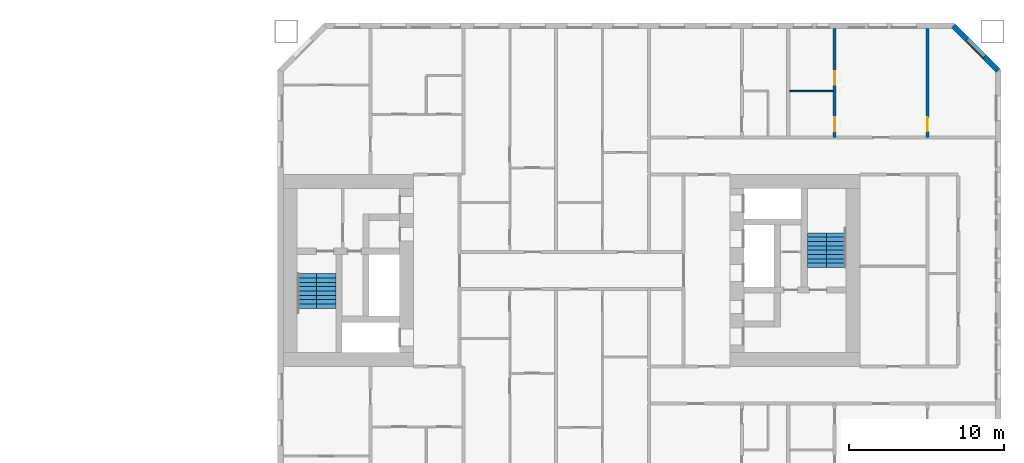
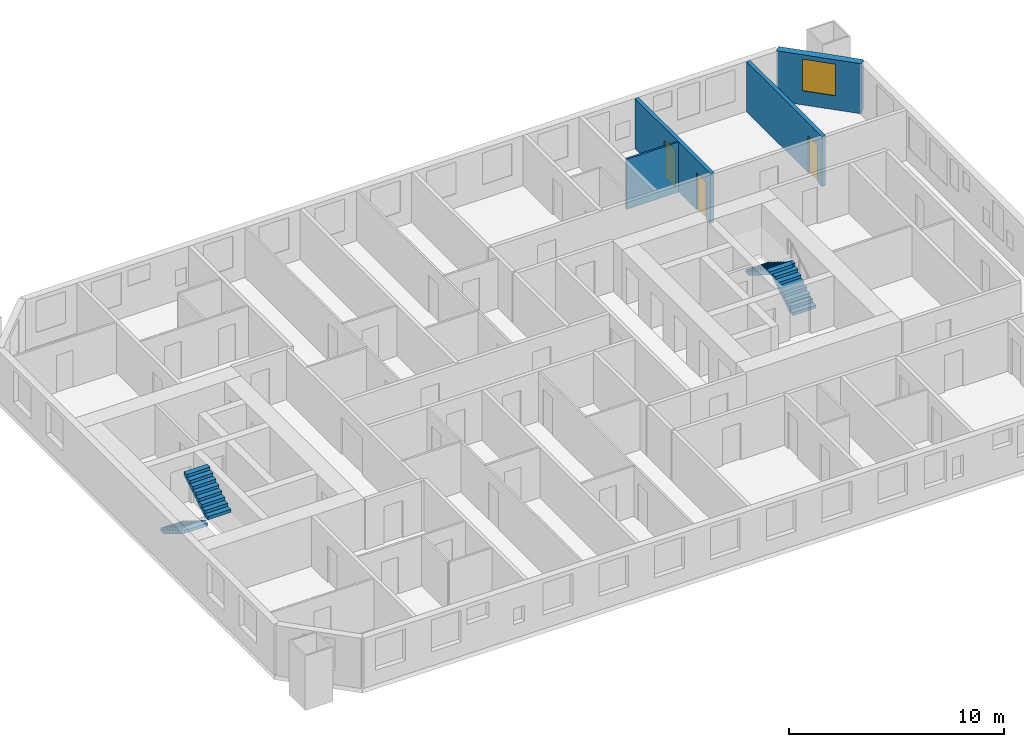
# One storey, part 15 of 17: 4 stair flights, 4 walls, 3 doors, 1 window, 4 openings, 2 elements without a shape of their own.
"""IFC4 building model written with IfcOpenShell, lengths in metres."""

from ifc_helpers import new_model, si_unit, direction, frame, frame_2d, origin, place, context, subcontext, project, spatial, polyline, rectangle, outline, extrude, material, layer, layer_set, type_object, element, fill, aggregate, save


model = new_model("IFC4")

# Units and contexts
model_context = context("Model", 3, precision=1e-05, world=origin(), true_north=direction((0.0, 1.0)))
body_context = subcontext(model_context, "Body", "Model", "MODEL_VIEW")
ifc_project = project(units=[si_unit("LENGTHUNIT", "METRE"), si_unit("AREAUNIT", "SQUARE_METRE"), si_unit("VOLUMEUNIT", "CUBIC_METRE"), si_unit("PLANEANGLEUNIT", "RADIAN"), si_unit("MASSUNIT", "GRAM", prefix="KILO")], contexts=[model_context])

# Site, building, storey
site_placement = place(None, origin())
site = spatial("IfcSite", under=ifc_project, at=site_placement, CompositionType="ELEMENT")
building_placement = place(site_placement, origin())
building = spatial("IfcBuilding", under=site, at=building_placement, Name="Tuart Gate Housing", CompositionType="ELEMENT")
storey_placement = place(building_placement, frame((0.0, 0.0, 25.699951171875)))
storey = spatial("IfcBuildingStorey", under=building, at=storey_placement, Name="L06", CompositionType="ELEMENT", Elevation=25.699951171875)

# Wall, opening, window
ifc_material_1 = material(Name="Brick", Category="masonry")
ifc_layer_1 = layer(ifc_material_1, 0.360107421875)
ifc_layer_set_1 = layer_set([ifc_layer_1], Name="Brick pier and spandrel wall 360")
wall_type_1 = type_object("IfcWallType", Name="Brick pier and spandrel wall 360", PredefinedType="STANDARD", material=ifc_layer_set_1)
wall_1_placement = place(storey_placement, frame((177.570068359375, 82.92529296875, 0.0), z_axis=(0.0, 0.0, 1.0), x_axis=(-0.707106781187, 0.707106781187, 0.0)))
wall_1 = element("IfcWall", 1, at=wall_1_placement, inside=storey, type_object=wall_type_1, Name="External wall B-NE L06", PredefinedType="STANDARD", context=body_context, shape_type="SweptSolid", body=[
    extrude(rectangle(XDim=4.09375, YDim=0.360107421875, at=frame_2d((2.046875, 0.0))), origin(), (0.0, 0.0, 1.0), 2.85009765625),
])
opening_1_placement = place(wall_1_placement, frame((1.2470703125, 0.0, 0.800048828125)))
opening_1 = element("IfcOpeningElement", 2, at=opening_1_placement, cuts=wall_1, Name="Opening W1", PredefinedType="OPENING", context=body_context, shape_type="SweptSolid", body=[
    extrude(rectangle(XDim=1.60009765625, YDim=1.800048828125, at=frame_2d((0.800048828125, 0.89990234375))), frame((0.0, 0.18994140625, 0.0), z_axis=(0.0, -1.0, 0.0), x_axis=(1.0, 0.0, 0.0)), (0.0, 0.0, 1.0), 0.380126953125),
])
ifc_material_2 = material(Name="Aluminium frame with clear glass", Category="aluminium")
window_type = type_object("IfcWindowType", Name="Punched window 1600 x 1800", PartitioningType="SINGLE_PANEL", PredefinedType="WINDOW", material=ifc_material_2)
window_placement = place(opening_1_placement, origin())
window = element("IfcWindow", 3, at=window_placement, inside=storey, type_object=window_type, Name="Window W1", OverallHeight=1.800048828125, OverallWidth=1.60009765625, PartitioningType="SINGLE_PANEL", PredefinedType="WINDOW", context=body_context, shape_type="SweptSolid", body=[
    extrude(rectangle(XDim=1.60009765625, YDim=1.800048828125, at=frame_2d((0.800048828125, 0.89990234375))), frame((0.0, 0.150146484375, 0.0), z_axis=(0.0, -1.0, 0.0), x_axis=(1.0, 0.0, 0.0)), (0.0, 0.0, 1.0), 0.06005859375),
])
fill(opening_1, window)

# Wall
ifc_material_3 = material(Name="Gypsum board on steel studs", Category="steel")
ifc_layer_2 = layer(ifc_material_3, 0.10009765625)
ifc_layer_set_2 = layer_set([ifc_layer_2], Name="Partition 100")
wall_type_2 = type_object("IfcWallType", Name="Partition 100", PredefinedType="PARTITIONING", material=ifc_layer_set_2)
wall_2_placement = place(storey_placement, frame((164.10009765625, 81.60009765625, 0.0), z_axis=(0.0, 0.0, 1.0), x_axis=(1.0, 0.0, 0.0)))
element("IfcWall", 4, at=wall_2_placement, inside=storey, type_object=wall_type_2, Name="Partition 100", PredefinedType="PARTITIONING", context=body_context, shape_type="SweptSolid", body=[
    extrude(rectangle(XDim=2.7998046875, YDim=0.10009765625, at=frame_2d((1.39990234375, 0.0))), origin(), (0.0, 0.0, 1.0), 2.85009765625),
])

# Wall, openings, doors
ifc_material_4 = material(Name="Concrete C40", Category="concrete")
ifc_layer_3 = layer(ifc_material_4, 0.199951171875)
ifc_layer_set_3 = layer_set([ifc_layer_3], Name="Party wall concrete C40 200")
wall_type_3 = type_object("IfcWallType", Name="Party wall concrete C40 200", PredefinedType="SOLIDWALL", material=ifc_layer_set_3)
wall_3_placement = place(storey_placement, frame((167.0, 78.60009765625, 0.0), z_axis=(0.0, 0.0, 1.0), x_axis=(0.0, 1.0, 0.0)))
wall_3 = element("IfcWall", 5, at=wall_3_placement, inside=storey, type_object=wall_type_3, Name="Party wall concrete C40 200", PredefinedType="SOLIDWALL", context=body_context, shape_type="SweptSolid", body=[
    extrude(rectangle(XDim=7.039794921875, YDim=0.199951171875, at=frame_2d((3.52001953125, 0.0))), origin(), (0.0, 0.0, 1.0), 2.85009765625),
])
opening_2_placement = place(wall_3_placement, frame((3.39990234375, 0.0, 0.0)))
opening_2 = element("IfcOpeningElement", 6, at=opening_2_placement, cuts=wall_3, Name="Opening D412", PredefinedType="OPENING", context=body_context, shape_type="SweptSolid", body=[
    extrude(rectangle(XDim=0.89990234375, YDim=2.10009765625, at=frame_2d((0.449951171875, 1.050048828125))), frame((0.0, 0.10986328125, 0.0), z_axis=(0.0, -1.0, 0.0), x_axis=(1.0, 0.0, 0.0)), (0.0, 0.0, 1.0), 0.219970703125),
])
opening_3_placement = place(wall_3_placement, frame((0.39990234375, 0.0, 0.0)))
opening_3 = element("IfcOpeningElement", 7, at=opening_3_placement, cuts=wall_3, Name="Opening D411", PredefinedType="OPENING", context=body_context, shape_type="SweptSolid", body=[
    extrude(rectangle(XDim=0.89990234375, YDim=2.10009765625, at=frame_2d((0.449951171875, 1.050048828125))), frame((0.0, 0.10986328125, 0.0), z_axis=(0.0, -1.0, 0.0), x_axis=(1.0, 0.0, 0.0)), (0.0, 0.0, 1.0), 0.219970703125),
])
ifc_material_5 = material(Name="Timber door leaf in steel frame", Category="steel")
door_type_1 = type_object("IfcDoorType", Name="Bathroom door 900", OperationType="SINGLE_SWING_LEFT", PredefinedType="DOOR", material=ifc_material_5)
door_1_placement = place(opening_3_placement, origin())
door_1 = element("IfcDoor", 8, at=door_1_placement, inside=storey, type_object=door_type_1, Name="Bathroom door", OperationType="SINGLE_SWING_LEFT", OverallHeight=2.10009765625, OverallWidth=0.89990234375, PredefinedType="DOOR", context=body_context, shape_type="SweptSolid", body=[
    extrude(rectangle(XDim=0.89990234375, YDim=2.10009765625, at=frame_2d((0.449951171875, 1.050048828125))), frame((0.0, 0.02490234375, 0.0), z_axis=(0.0, -1.0, 0.0), x_axis=(1.0, 0.0, 0.0)), (0.0, 0.0, 1.0), 0.050048828125),
])
fill(opening_3, door_1)
ifc_material_6 = material(Name="Timber door leaf in steel frame", Category="steel")
door_type_2 = type_object("IfcDoorType", Name="Internal door 900", OperationType="SINGLE_SWING_LEFT", PredefinedType="DOOR", material=ifc_material_6)
door_2_placement = place(opening_2_placement, origin())
door_2 = element("IfcDoor", 9, at=door_2_placement, inside=storey, type_object=door_type_2, Name="Internal door", OperationType="SINGLE_SWING_LEFT", OverallHeight=2.10009765625, OverallWidth=0.89990234375, PredefinedType="DOOR", context=body_context, shape_type="SweptSolid", body=[
    extrude(rectangle(XDim=0.89990234375, YDim=2.10009765625, at=frame_2d((0.449951171875, 1.050048828125))), frame((0.0, 0.02490234375, 0.0), z_axis=(0.0, -1.0, 0.0), x_axis=(1.0, 0.0, 0.0)), (0.0, 0.0, 1.0), 0.050048828125),
])
fill(opening_2, door_2)

# Wall, opening, door
wall_4_placement = place(storey_placement, frame((173.0, 78.60009765625, 0.0), z_axis=(0.0, 0.0, 1.0), x_axis=(0.0, 1.0, 0.0)))
wall_4 = element("IfcWall", 10, at=wall_4_placement, inside=storey, type_object=wall_type_3, Name="Party wall concrete C40 200", PredefinedType="SOLIDWALL", context=body_context, shape_type="SweptSolid", body=[
    extrude(rectangle(XDim=7.039794921875, YDim=0.199951171875, at=frame_2d((3.52001953125, 0.0))), origin(), (0.0, 0.0, 1.0), 2.85009765625),
])
opening_4_placement = place(wall_4_placement, frame((0.39990234375, 0.0, 0.0)))
opening_4 = element("IfcOpeningElement", 11, at=opening_4_placement, cuts=wall_4, Name="Opening D413", PredefinedType="OPENING", context=body_context, shape_type="SweptSolid", body=[
    extrude(rectangle(XDim=0.89990234375, YDim=2.10009765625, at=frame_2d((0.449951171875, 1.050048828125))), frame((0.0, 0.10986328125, 0.0), z_axis=(0.0, -1.0, 0.0), x_axis=(1.0, 0.0, 0.0)), (0.0, 0.0, 1.0), 0.219970703125),
])
ifc_material_7 = material(Name="Timber door leaf in steel frame", Category="steel")
door_type_3 = type_object("IfcDoorType", Name="Internal door 900 RH", OperationType="SINGLE_SWING_RIGHT", PredefinedType="DOOR", material=ifc_material_7)
door_3_placement = place(opening_4_placement, frame((0.89990234375, 0.0, 0.0), z_axis=(0.0, 0.0, 1.0), x_axis=(-1.0, 0.0, 0.0)))
door_3 = element("IfcDoor", 12, at=door_3_placement, inside=storey, type_object=door_type_3, Name="Internal door", OperationType="SINGLE_SWING_RIGHT", OverallHeight=2.10009765625, OverallWidth=0.89990234375, PredefinedType="DOOR", context=body_context, shape_type="SweptSolid", body=[
    extrude(rectangle(XDim=0.89990234375, YDim=2.10009765625, at=frame_2d((0.449951171875, 1.050048828125))), frame((0.0, 0.025146484375, 0.0), z_axis=(0.0, -1.0, 0.0), x_axis=(1.0, 0.0, 0.0)), (0.0, 0.0, 1.0), 0.050048828125),
])
fill(opening_4, door_3)

# Stair, stair flights
ifc_material_8 = material(Name="Concrete C40", Category="concrete")
stair_type = type_object("IfcStairType", Name="Core stair 1250", PredefinedType="HALF_TURN_STAIR", material=ifc_material_8)
stair_1_placement = place(storey_placement, origin())
stair_1 = element("IfcStair", 13, at=stair_1_placement, inside=storey, type_object=stair_type, Name="Stair SB1", PredefinedType="HALF_TURN_STAIR")
ifc_material_9 = material(Name="Concrete C40", Category="concrete")
stair_flight_type = type_object("IfcStairFlightType", Name="Stair flight 1250, 9 risers 172 x 280", PredefinedType="STRAIGHT", material=ifc_material_9)
stair_flight_1_placement = place(storey_placement, frame((132.885009765625, 69.800048828125, 0.0), z_axis=(0.0, 0.0, 1.0), x_axis=(0.0, -1.0, 0.0)))
stair_flight_1 = element("IfcStairFlight", 14, at=stair_flight_1_placement, type_object=stair_flight_type, Name="SB1 flight 1", NumberOfRisers=9, NumberOfTreads=8, PredefinedType="STRAIGHT", RiserHeight=0.172222222, TreadLength=0.28, context=body_context, shape_type="SweptSolid", body=[
    extrude(outline(polyline([(0.0, 0.0), (0.0, 0.172119140625), (0.280029296875, 0.172119140625), (0.280029296875, 0.344482421875), (0.56005859375, 0.344482421875), (0.56005859375, 0.5166015625), (0.840087890625, 0.5166015625), (0.840087890625, 0.68896484375), (1.1201171875, 0.68896484375), (1.1201171875, 0.861083984375), (1.39990234375, 0.861083984375), (1.39990234375, 1.033447265625), (1.679931640625, 1.033447265625), (1.679931640625, 1.20556640625), (1.9599609375, 1.20556640625), (1.9599609375, 1.377685546875), (2.239990234375, 1.377685546875), (2.239990234375, 1.550048828125), (2.239990234375, 1.201904296875), (0.2861328125, 0.0), (0.0, 0.0)])), frame((0.0, 0.625, 0.0), z_axis=(0.0, -1.0, 0.0), x_axis=(1.0, 0.0, 0.0)), (0.0, 0.0, 1.0), 1.25),
])
stair_flight_2_placement = place(storey_placement, frame((134.135009765625, 67.56005859375, 1.550048828125), z_axis=(0.0, 0.0, 1.0), x_axis=(0.0, 1.0, 0.0)))
stair_flight_2 = element("IfcStairFlight", 15, at=stair_flight_2_placement, type_object=stair_flight_type, Name="SB1 flight 2", NumberOfRisers=9, NumberOfTreads=8, PredefinedType="STRAIGHT", RiserHeight=0.172222222, TreadLength=0.28, context=body_context, shape_type="SweptSolid", body=[
    extrude(outline(polyline([(0.0, 0.0), (0.0, 0.172119140625), (0.280029296875, 0.172119140625), (0.280029296875, 0.344482421875), (0.56005859375, 0.344482421875), (0.56005859375, 0.5166015625), (0.840087890625, 0.5166015625), (0.840087890625, 0.68896484375), (1.1201171875, 0.68896484375), (1.1201171875, 0.861083984375), (1.39990234375, 0.861083984375), (1.39990234375, 1.033447265625), (1.679931640625, 1.033447265625), (1.679931640625, 1.20556640625), (1.9599609375, 1.20556640625), (1.9599609375, 1.377685546875), (2.239990234375, 1.377685546875), (2.239990234375, 1.550048828125), (2.239990234375, 1.201904296875), (0.2861328125, 0.0), (0.0, 0.0)])), frame((0.0, 0.625, 0.0), z_axis=(0.0, -1.0, 0.0), x_axis=(1.0, 0.0, 0.0)), (0.0, 0.0, 1.0), 1.25),
])
aggregate(stair_1, [stair_flight_1, stair_flight_2])

stair_2_placement = place(storey_placement, origin())
stair_2 = element("IfcStair", 16, at=stair_2_placement, inside=storey, type_object=stair_type, Name="Stair SB2", PredefinedType="HALF_TURN_STAIR")
stair_flight_3_placement = place(storey_placement, frame((167.114990234375, 70.199951171875, 0.0), z_axis=(0.0, 0.0, 1.0), x_axis=(0.0, 1.0, 0.0)))
stair_flight_3 = element("IfcStairFlight", 17, at=stair_flight_3_placement, type_object=stair_flight_type, Name="SB2 flight 1", NumberOfRisers=9, NumberOfTreads=8, PredefinedType="STRAIGHT", RiserHeight=0.172222222, TreadLength=0.28, context=body_context, shape_type="SweptSolid", body=[
    extrude(outline(polyline([(0.0, 0.0), (0.0, 0.172119140625), (0.280029296875, 0.172119140625), (0.280029296875, 0.344482421875), (0.56005859375, 0.344482421875), (0.56005859375, 0.5166015625), (0.840087890625, 0.5166015625), (0.840087890625, 0.68896484375), (1.1201171875, 0.68896484375), (1.1201171875, 0.861083984375), (1.39990234375, 0.861083984375), (1.39990234375, 1.033447265625), (1.679931640625, 1.033447265625), (1.679931640625, 1.20556640625), (1.9599609375, 1.20556640625), (1.9599609375, 1.377685546875), (2.239990234375, 1.377685546875), (2.239990234375, 1.550048828125), (2.239990234375, 1.201904296875), (0.2861328125, 0.0), (0.0, 0.0)])), frame((0.0, 0.625, 0.0), z_axis=(0.0, -1.0, 0.0), x_axis=(1.0, 0.0, 0.0)), (0.0, 0.0, 1.0), 1.25),
])
stair_flight_4_placement = place(storey_placement, frame((165.864990234375, 72.43994140625, 1.550048828125), z_axis=(0.0, 0.0, 1.0), x_axis=(0.0, -1.0, 0.0)))
stair_flight_4 = element("IfcStairFlight", 18, at=stair_flight_4_placement, type_object=stair_flight_type, Name="SB2 flight 2", NumberOfRisers=9, NumberOfTreads=8, PredefinedType="STRAIGHT", RiserHeight=0.172222222, TreadLength=0.28, context=body_context, shape_type="SweptSolid", body=[
    extrude(outline(polyline([(0.0, 0.0), (0.0, 0.172119140625), (0.280029296875, 0.172119140625), (0.280029296875, 0.344482421875), (0.56005859375, 0.344482421875), (0.56005859375, 0.5166015625), (0.840087890625, 0.5166015625), (0.840087890625, 0.68896484375), (1.1201171875, 0.68896484375), (1.1201171875, 0.861083984375), (1.39990234375, 0.861083984375), (1.39990234375, 1.033447265625), (1.679931640625, 1.033447265625), (1.679931640625, 1.20556640625), (1.9599609375, 1.20556640625), (1.9599609375, 1.377685546875), (2.239990234375, 1.377685546875), (2.239990234375, 1.550048828125), (2.239990234375, 1.201904296875), (0.2861328125, 0.0), (0.0, 0.0)])), frame((0.0, 0.625, 0.0), z_axis=(0.0, -1.0, 0.0), x_axis=(1.0, 0.0, 0.0)), (0.0, 0.0, 1.0), 1.25),
])
aggregate(stair_2, [stair_flight_3, stair_flight_4])

save(model, "model.ifc")
